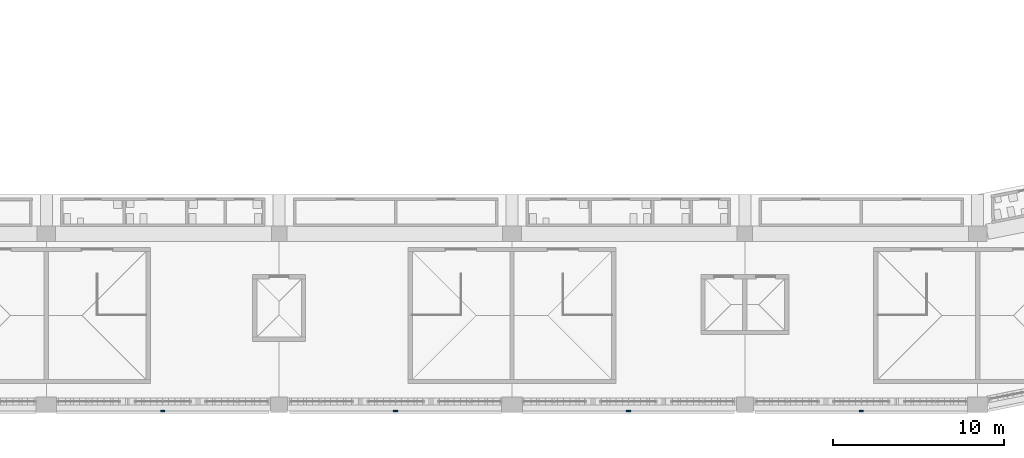
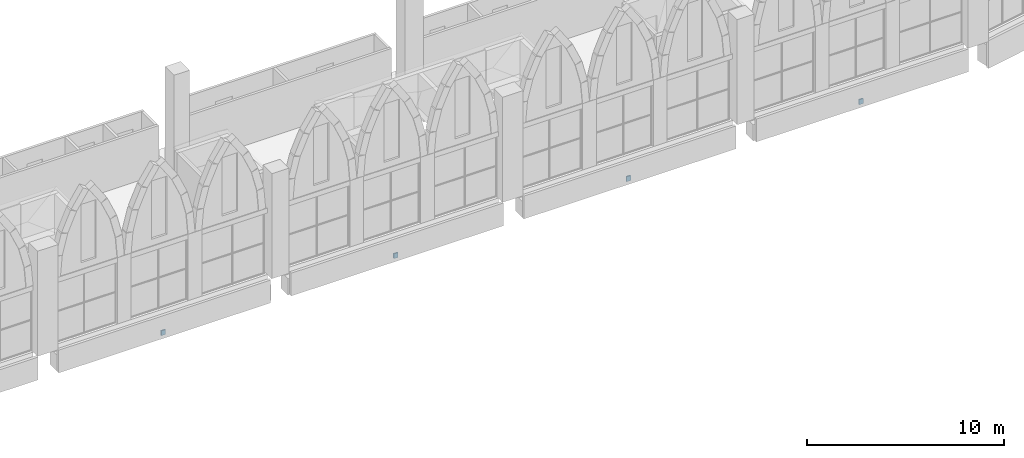
# One storey, part 91 of 130: 4 discrete accessories.
"""IFC4 building model written with IfcOpenShell, lengths in metres."""

from ifc_helpers import new_model, si_unit, direction, frame, origin, origin_2d, place, context, subcontext, project, spatial, rectangle, extrude, material, layer, layer_set, type_object, element, save


model = new_model("IFC4")

# Units and contexts
model_context = context("Model", 3, precision=1e-05, world=origin(), true_north=direction((0.0, 1.0)))
body_context = subcontext(model_context, "Body", "Model", "MODEL_VIEW")
ifc_project = project(units=[si_unit("LENGTHUNIT", "METRE"), si_unit("AREAUNIT", "SQUARE_METRE"), si_unit("VOLUMEUNIT", "CUBIC_METRE"), si_unit("PLANEANGLEUNIT", "RADIAN"), si_unit("MASSUNIT", "GRAM", prefix="KILO")], contexts=[model_context])

# Site, building, storey
site_placement = place(None, origin())
site = spatial("IfcSite", under=ifc_project, at=site_placement, CompositionType="ELEMENT")
building_placement = place(site_placement, origin())
building = spatial("IfcBuilding", under=site, at=building_placement, Name="Ogive Plaza Stadium", CompositionType="ELEMENT")
storey_placement = place(building_placement, frame((0.0, 0.0, 22.5)))
storey = spatial("IfcBuildingStorey", under=building, at=storey_placement, Name="L05", CompositionType="ELEMENT", Elevation=22.5)

# Discrete accessories
ifc_material = material(Name="Steel ASTM A572 Grade 50", Category="steel")
ifc_layer = layer(ifc_material, 0.080078125)
ifc_layer_set = layer_set([ifc_layer], Name="Steel ASTM A572 Grade 50")
discrete_accessory_type = type_object("IfcDiscreteAccessoryType", Name="Spandrel cladding bracket 250x300", PredefinedType="BRACKET", material=ifc_layer_set)
for number, where, z_axis, x_axis, name in (
    (1, (27.199951171875, -102.85009765625, -1.31005859375), (0.0, 0.0, 1.0), (-1.0, 0.0, 0.0), "SPANDREL BRACKET B12 L05"),
    (2, (13.60009765625, -102.85009765625, -1.31005859375), (0.0, 0.0, 1.0), (-1.0, 0.0, 0.0), "SPANDREL BRACKET B13 L05"),
    (3, (0.0, -102.85009765625, -1.31005859375), (0.0, 0.0, 1.0), (-1.0, 0.0, 0.0), "SPANDREL BRACKET B14 L05"),
    (4, (-13.60009765625, -102.85009765625, -1.31005859375), (0.0, 0.0, 1.0), (-1.0, 0.0, 0.0), "SPANDREL BRACKET B15 L05"),
):
    element("IfcDiscreteAccessory", number, at=place(storey_placement, frame(where, z_axis=z_axis, x_axis=x_axis)), inside=storey, type_object=discrete_accessory_type, Name=name, PredefinedType="BRACKET", context=body_context, shape_type="SweptSolid", body=[
        extrude(rectangle(XDim=0.25, YDim=0.080078125, at=origin_2d()), origin(), (0.0, 0.0, 1.0), 0.300048828125),
    ])

save(model, "model.ifc")
